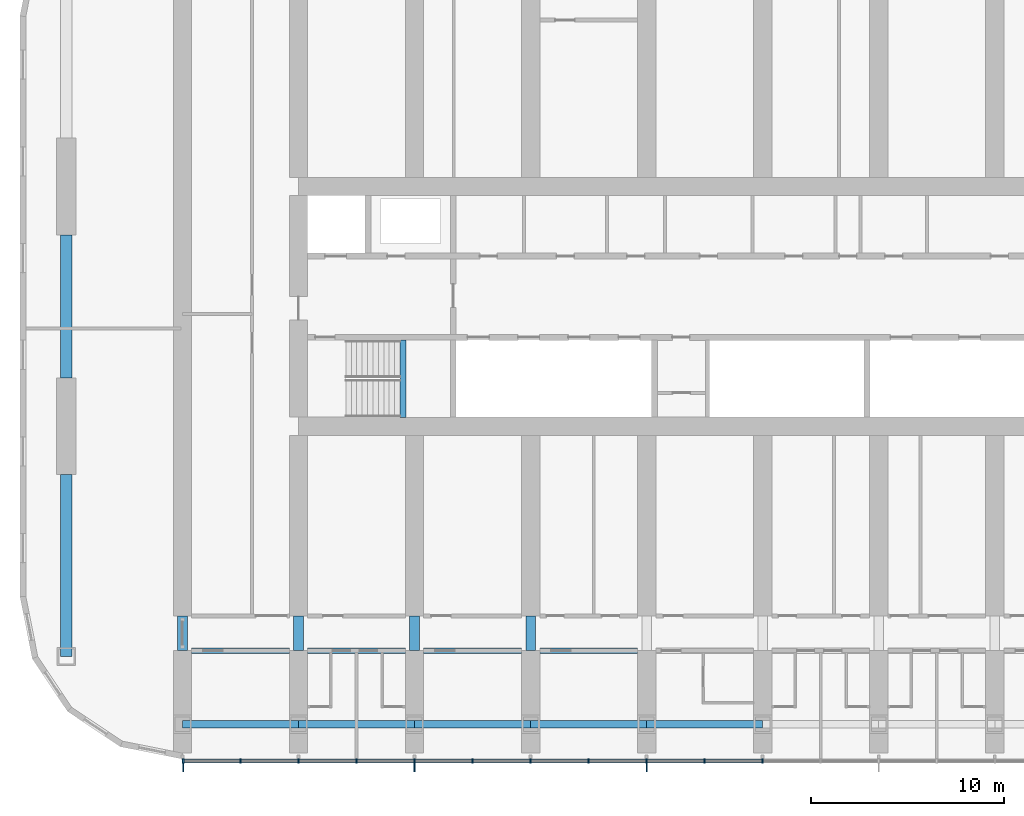
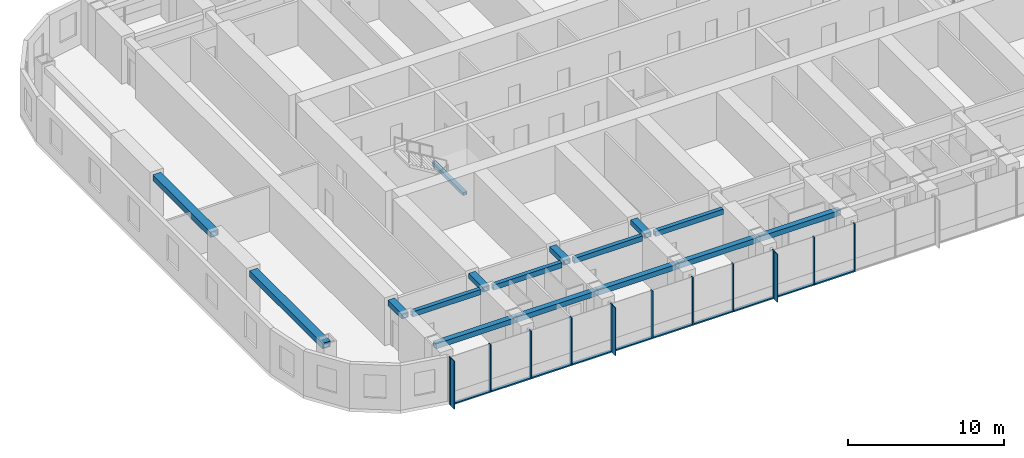
# One storey, part 2 of 21: 24 members, 16 beams, 1 element without a shape of its own.
"""IFC4 building model written with IfcOpenShell, lengths in metres."""

from ifc_helpers import new_model, si_unit, direction, frame, origin, origin_2d, place, context, subcontext, project, spatial, rectangle, hollow_rectangle, extrude, material, material_profile, profile_set, type_object, element, aggregate, save


model = new_model("IFC4")

# Units and contexts
model_context = context("Model", 3, precision=1e-05, world=origin(), true_north=direction((0.0, 1.0)))
body_context = subcontext(model_context, "Body", "Model", "MODEL_VIEW")
ifc_project = project(units=[si_unit("LENGTHUNIT", "METRE"), si_unit("AREAUNIT", "SQUARE_METRE"), si_unit("VOLUMEUNIT", "CUBIC_METRE"), si_unit("PLANEANGLEUNIT", "RADIAN"), si_unit("MASSUNIT", "GRAM", prefix="KILO")], contexts=[model_context])

# Site, building, storey
site_placement = place(None, origin())
site = spatial("IfcSite", under=ifc_project, at=site_placement, CompositionType="ELEMENT")
building_placement = place(site_placement, origin())
building = spatial("IfcBuilding", under=site, at=building_placement, Name="Orbita Commons", CompositionType="ELEMENT")
storey_placement = place(building_placement, frame((0.0, 0.0, 106.89990234375)))
storey = spatial("IfcBuildingStorey", under=building, at=storey_placement, Name="L26", CompositionType="ELEMENT", Elevation=106.89990234375)

# Curtain wall, members
ifc_material_1 = material(Name="Anodised aluminium frame, pale silver", Category="aluminium")
curtain_wall_type = type_object("IfcCurtainWallType", Name="Unitised curtain wall CW-T, vision and spandrel", PredefinedType="NOTDEFINED", material=ifc_material_1)
curtain_wall_placement = place(storey_placement, origin())
curtain_wall = element("IfcCurtainWall", 1, at=curtain_wall_placement, inside=storey, type_object=curtain_wall_type, Name="Curtain wall south L26", PredefinedType="NOTDEFINED")
ifc_material_2 = material(Name="Anodised aluminium, pale silver", Category="aluminium")
ifc_material_profile_1 = material_profile(ifc_material_2, rectangle(XDim=0.080078125, YDim=0.219970703125, at=origin_2d()), Name="AL 80x220")
ifc_profile_set_1 = profile_set([ifc_material_profile_1], Name="Anodised aluminium, pale silver")
member_type_1 = type_object("IfcMemberType", Name="Curtain wall mullion 80x220", PredefinedType="MULLION", material=ifc_profile_set_1)
member_1_placement = place(storey_placement, frame((12.0400390625, 8.489990234375, -0.25), z_axis=(0.0, 0.0, 1.0), x_axis=(1.0, 0.0, 0.0)))
member_1 = element("IfcMember", 2, at=member_1_placement, type_object=member_type_1, Name="Mullion 1 CW-L26-S", PredefinedType="MULLION", context=body_context, shape_type="SweptSolid", body=[
    extrude(rectangle(XDim=0.080078125, YDim=0.219970703125, at=origin_2d()), origin(), (0.0, 0.0, 1.0), 3.75),
])
member_2_placement = place(storey_placement, frame((15.0, 8.489990234375, -0.25), z_axis=(0.0, 0.0, 1.0), x_axis=(1.0, 0.0, 0.0)))
member_2 = element("IfcMember", 3, at=member_2_placement, type_object=member_type_1, Name="Mullion 2 CW-L26-S", PredefinedType="MULLION", context=body_context, shape_type="SweptSolid", body=[
    extrude(rectangle(XDim=0.080078125, YDim=0.219970703125, at=origin_2d()), origin(), (0.0, 0.0, 1.0), 3.75),
])
member_3_placement = place(storey_placement, frame((18.0, 8.489990234375, -0.25), z_axis=(0.0, 0.0, 1.0), x_axis=(1.0, 0.0, 0.0)))
member_3 = element("IfcMember", 4, at=member_3_placement, type_object=member_type_1, Name="Mullion 3 CW-L26-S", PredefinedType="MULLION", context=body_context, shape_type="SweptSolid", body=[
    extrude(rectangle(XDim=0.080078125, YDim=0.219970703125, at=origin_2d()), origin(), (0.0, 0.0, 1.0), 3.75),
])
member_4_placement = place(storey_placement, frame((21.0, 8.489990234375, -0.25), z_axis=(0.0, 0.0, 1.0), x_axis=(1.0, 0.0, 0.0)))
member_4 = element("IfcMember", 5, at=member_4_placement, type_object=member_type_1, Name="Mullion 4 CW-L26-S", PredefinedType="MULLION", context=body_context, shape_type="SweptSolid", body=[
    extrude(rectangle(XDim=0.080078125, YDim=0.219970703125, at=origin_2d()), origin(), (0.0, 0.0, 1.0), 3.75),
])
member_5_placement = place(storey_placement, frame((24.0, 8.489990234375, -0.25), z_axis=(0.0, 0.0, 1.0), x_axis=(1.0, 0.0, 0.0)))
member_5 = element("IfcMember", 6, at=member_5_placement, type_object=member_type_1, Name="Mullion 5 CW-L26-S", PredefinedType="MULLION", context=body_context, shape_type="SweptSolid", body=[
    extrude(rectangle(XDim=0.080078125, YDim=0.219970703125, at=origin_2d()), origin(), (0.0, 0.0, 1.0), 3.75),
])
member_6_placement = place(storey_placement, frame((27.0, 8.489990234375, -0.25), z_axis=(0.0, 0.0, 1.0), x_axis=(1.0, 0.0, 0.0)))
member_6 = element("IfcMember", 7, at=member_6_placement, type_object=member_type_1, Name="Mullion 6 CW-L26-S", PredefinedType="MULLION", context=body_context, shape_type="SweptSolid", body=[
    extrude(rectangle(XDim=0.080078125, YDim=0.219970703125, at=origin_2d()), origin(), (0.0, 0.0, 1.0), 3.75),
])
member_7_placement = place(storey_placement, frame((30.0, 8.489990234375, -0.25), z_axis=(0.0, 0.0, 1.0), x_axis=(1.0, 0.0, 0.0)))
member_7 = element("IfcMember", 8, at=member_7_placement, type_object=member_type_1, Name="Mullion 7 CW-L26-S", PredefinedType="MULLION", context=body_context, shape_type="SweptSolid", body=[
    extrude(rectangle(XDim=0.080078125, YDim=0.219970703125, at=origin_2d()), origin(), (0.0, 0.0, 1.0), 3.75),
])
member_8_placement = place(storey_placement, frame((33.0, 8.489990234375, -0.25), z_axis=(0.0, 0.0, 1.0), x_axis=(1.0, 0.0, 0.0)))
member_8 = element("IfcMember", 9, at=member_8_placement, type_object=member_type_1, Name="Mullion 8 CW-L26-S", PredefinedType="MULLION", context=body_context, shape_type="SweptSolid", body=[
    extrude(rectangle(XDim=0.080078125, YDim=0.219970703125, at=origin_2d()), origin(), (0.0, 0.0, 1.0), 3.75),
])
member_9_placement = place(storey_placement, frame((36.0, 8.489990234375, -0.25), z_axis=(0.0, 0.0, 1.0), x_axis=(1.0, 0.0, 0.0)))
member_9 = element("IfcMember", 10, at=member_9_placement, type_object=member_type_1, Name="Mullion 9 CW-L26-S", PredefinedType="MULLION", context=body_context, shape_type="SweptSolid", body=[
    extrude(rectangle(XDim=0.080078125, YDim=0.219970703125, at=origin_2d()), origin(), (0.0, 0.0, 1.0), 3.75),
])
member_10_placement = place(storey_placement, frame((39.0, 8.489990234375, -0.25), z_axis=(0.0, 0.0, 1.0), x_axis=(1.0, 0.0, 0.0)))
member_10 = element("IfcMember", 11, at=member_10_placement, type_object=member_type_1, Name="Mullion 10 CW-L26-S", PredefinedType="MULLION", context=body_context, shape_type="SweptSolid", body=[
    extrude(rectangle(XDim=0.080078125, YDim=0.219970703125, at=origin_2d()), origin(), (0.0, 0.0, 1.0), 3.75),
])
member_11_placement = place(storey_placement, frame((42.0, 8.489990234375, -0.25), z_axis=(0.0, 0.0, 1.0), x_axis=(1.0, 0.0, 0.0)))
member_11 = element("IfcMember", 12, at=member_11_placement, type_object=member_type_1, Name="Mullion 11 CW-L26-S", PredefinedType="MULLION", context=body_context, shape_type="SweptSolid", body=[
    extrude(rectangle(XDim=0.080078125, YDim=0.219970703125, at=origin_2d()), origin(), (0.0, 0.0, 1.0), 3.75),
])
ifc_material_3 = material(Name="Anodised aluminium, pale silver", Category="aluminium")
ifc_material_profile_2 = material_profile(ifc_material_3, rectangle(XDim=0.219970703125, YDim=0.10009765625, at=origin_2d()), Name="AL 220x100")
ifc_profile_set_2 = profile_set([ifc_material_profile_2], Name="Anodised aluminium, pale silver")
member_type_2 = type_object("IfcMemberType", Name="Curtain wall stack transom 220x100", PredefinedType="USERDEFINED", material=ifc_profile_set_2)
member_12_placement = place(storey_placement, frame((12.080078125, 8.489990234375, -0.199951171875), z_axis=(1.0, 0.0, 0.0), x_axis=(0.0, 1.0, 0.0)))
member_12 = element("IfcMember", 13, at=member_12_placement, type_object=member_type_2, Name="Transom 1.1 CW-L26-S", ObjectType="TRANSOM", PredefinedType="USERDEFINED", context=body_context, shape_type="SweptSolid", body=[
    extrude(rectangle(XDim=0.219970703125, YDim=0.10009765625, at=origin_2d()), origin(), (0.0, 0.0, 1.0), 2.8798828125),
])
member_13_placement = place(storey_placement, frame((15.0400390625, 8.489990234375, -0.199951171875), z_axis=(1.0, 0.0, 0.0), x_axis=(0.0, 1.0, 0.0)))
member_13 = element("IfcMember", 14, at=member_13_placement, type_object=member_type_2, Name="Transom 2.1 CW-L26-S", ObjectType="TRANSOM", PredefinedType="USERDEFINED", context=body_context, shape_type="SweptSolid", body=[
    extrude(rectangle(XDim=0.219970703125, YDim=0.10009765625, at=origin_2d()), origin(), (0.0, 0.0, 1.0), 2.919921875),
])
member_14_placement = place(storey_placement, frame((18.0400390625, 8.489990234375, -0.199951171875), z_axis=(1.0, 0.0, 0.0), x_axis=(0.0, 1.0, 0.0)))
member_14 = element("IfcMember", 15, at=member_14_placement, type_object=member_type_2, Name="Transom 3.1 CW-L26-S", ObjectType="TRANSOM", PredefinedType="USERDEFINED", context=body_context, shape_type="SweptSolid", body=[
    extrude(rectangle(XDim=0.219970703125, YDim=0.10009765625, at=origin_2d()), origin(), (0.0, 0.0, 1.0), 2.919921875),
])
member_15_placement = place(storey_placement, frame((21.0400390625, 8.489990234375, -0.199951171875), z_axis=(1.0, 0.0, 0.0), x_axis=(0.0, 1.0, 0.0)))
member_15 = element("IfcMember", 16, at=member_15_placement, type_object=member_type_2, Name="Transom 4.1 CW-L26-S", ObjectType="TRANSOM", PredefinedType="USERDEFINED", context=body_context, shape_type="SweptSolid", body=[
    extrude(rectangle(XDim=0.219970703125, YDim=0.10009765625, at=origin_2d()), origin(), (0.0, 0.0, 1.0), 2.919921875),
])
member_16_placement = place(storey_placement, frame((24.0400390625, 8.489990234375, -0.199951171875), z_axis=(1.0, 0.0, 0.0), x_axis=(0.0, 1.0, 0.0)))
member_16 = element("IfcMember", 17, at=member_16_placement, type_object=member_type_2, Name="Transom 5.1 CW-L26-S", ObjectType="TRANSOM", PredefinedType="USERDEFINED", context=body_context, shape_type="SweptSolid", body=[
    extrude(rectangle(XDim=0.219970703125, YDim=0.10009765625, at=origin_2d()), origin(), (0.0, 0.0, 1.0), 2.919921875),
])
member_17_placement = place(storey_placement, frame((27.0400390625, 8.489990234375, -0.199951171875), z_axis=(1.0, 0.0, 0.0), x_axis=(0.0, 1.0, 0.0)))
member_17 = element("IfcMember", 18, at=member_17_placement, type_object=member_type_2, Name="Transom 6.1 CW-L26-S", ObjectType="TRANSOM", PredefinedType="USERDEFINED", context=body_context, shape_type="SweptSolid", body=[
    extrude(rectangle(XDim=0.219970703125, YDim=0.10009765625, at=origin_2d()), origin(), (0.0, 0.0, 1.0), 2.919921875),
])
member_18_placement = place(storey_placement, frame((30.0400390625, 8.489990234375, -0.199951171875), z_axis=(1.0, 0.0, 0.0), x_axis=(0.0, 1.0, 0.0)))
member_18 = element("IfcMember", 19, at=member_18_placement, type_object=member_type_2, Name="Transom 7.1 CW-L26-S", ObjectType="TRANSOM", PredefinedType="USERDEFINED", context=body_context, shape_type="SweptSolid", body=[
    extrude(rectangle(XDim=0.219970703125, YDim=0.10009765625, at=origin_2d()), origin(), (0.0, 0.0, 1.0), 2.919921875),
])
member_19_placement = place(storey_placement, frame((33.0400390625, 8.489990234375, -0.199951171875), z_axis=(1.0, 0.0, 0.0), x_axis=(0.0, 1.0, 0.0)))
member_19 = element("IfcMember", 20, at=member_19_placement, type_object=member_type_2, Name="Transom 8.1 CW-L26-S", ObjectType="TRANSOM", PredefinedType="USERDEFINED", context=body_context, shape_type="SweptSolid", body=[
    extrude(rectangle(XDim=0.219970703125, YDim=0.10009765625, at=origin_2d()), origin(), (0.0, 0.0, 1.0), 2.919921875),
])
member_20_placement = place(storey_placement, frame((36.0400390625, 8.489990234375, -0.199951171875), z_axis=(1.0, 0.0, 0.0), x_axis=(0.0, 1.0, 0.0)))
member_20 = element("IfcMember", 21, at=member_20_placement, type_object=member_type_2, Name="Transom 9.1 CW-L26-S", ObjectType="TRANSOM", PredefinedType="USERDEFINED", context=body_context, shape_type="SweptSolid", body=[
    extrude(rectangle(XDim=0.219970703125, YDim=0.10009765625, at=origin_2d()), origin(), (0.0, 0.0, 1.0), 2.919921875),
])
member_21_placement = place(storey_placement, frame((39.0400390625, 8.489990234375, -0.199951171875), z_axis=(1.0, 0.0, 0.0), x_axis=(0.0, 1.0, 0.0)))
member_21 = element("IfcMember", 22, at=member_21_placement, type_object=member_type_2, Name="Transom 10.1 CW-L26-S", ObjectType="TRANSOM", PredefinedType="USERDEFINED", context=body_context, shape_type="SweptSolid", body=[
    extrude(rectangle(XDim=0.219970703125, YDim=0.10009765625, at=origin_2d()), origin(), (0.0, 0.0, 1.0), 2.919921875),
])

# Beams
ifc_material_4 = material(Name="Steel ASTM A572 Gr 50 welded plate", Category="steel")
ifc_material_profile_3 = material_profile(ifc_material_4, hollow_rectangle(XDim=0.300048828125, YDim=0.25, WallThickness=0.02490234375, at=origin_2d()), Name="BOX 250x300x25")
ifc_profile_set_3 = profile_set([ifc_material_profile_3], Name="Steel ASTM A572 Gr 50 welded plate")
beam_type_1 = type_object("IfcBeamType", Name="Stair landing beam steel BOX 250x300x25", PredefinedType="BEAM", material=ifc_profile_set_3)
beam_1_placement = place(storey_placement, frame((23.39990234375, 26.260009765625, 1.550048828125), z_axis=(0.0, 1.0, 0.0), x_axis=(-1.0, 0.0, 0.0)))
element("IfcBeam", 23, at=beam_1_placement, inside=storey, type_object=beam_type_1, Name="Stair S1 landing beam L26 1", PredefinedType="BEAM", context=body_context, shape_type="SweptSolid", body=[
    extrude(hollow_rectangle(XDim=0.300048828125, YDim=0.25, WallThickness=0.02490234375, at=origin_2d()), origin(), (0.0, 0.0, 1.0), 4.0048828125),
])
ifc_material_5 = material(Name="Steel ASTM A572 Gr 50 welded plate", Category="steel")
ifc_material_profile_4 = material_profile(ifc_material_5, hollow_rectangle(XDim=0.300048828125, YDim=0.39990234375, WallThickness=0.0400390625, at=origin_2d()), Name="BOX 400x300x40")
ifc_profile_set_4 = profile_set([ifc_material_profile_4], Name="Steel ASTM A572 Gr 50 welded plate")
beam_type_2 = type_object("IfcBeamType", Name="Steel corridor link BOX 400x300x40", PredefinedType="BEAM", material=ifc_profile_set_4)
for number, where, z_axis, x_axis, name in (
    (24, (12.47509765625, 14.199951171875, 3.300048828125), (1.0, 0.0, 0.0), (0.0, 1.0, 0.0), "Corridor beam SA 3-4 L26"),
    (25, (18.47509765625, 14.199951171875, 3.300048828125), (1.0, 0.0, 0.0), (0.0, 1.0, 0.0), "Corridor beam SA 4-5 L26"),
    (26, (24.47509765625, 14.199951171875, 3.300048828125), (1.0, 0.0, 0.0), (0.0, 1.0, 0.0), "Corridor beam SA 5-6 L26"),
    (27, (30.47509765625, 14.199951171875, 3.300048828125), (1.0, 0.0, 0.0), (0.0, 1.0, 0.0), "Corridor beam SA 6-7 L26"),
):
    element("IfcBeam", number, at=place(storey_placement, frame(where, z_axis=z_axis, x_axis=x_axis)), inside=storey, type_object=beam_type_2, Name=name, PredefinedType="BEAM", context=body_context, shape_type="SweptSolid", body=[
        extrude(hollow_rectangle(XDim=0.300048828125, YDim=0.39990234375, WallThickness=0.0400390625, at=origin_2d()), origin(), (0.0, 0.0, 1.0), 5.0498046875),
    ])
ifc_material_6 = material(Name="Steel ASTM A572 Gr 50 welded plate", Category="steel")
ifc_material_profile_5 = material_profile(ifc_material_6, hollow_rectangle(XDim=0.5, YDim=0.39990234375, WallThickness=0.050048828125, at=origin_2d()), Name="BOX 400x500x50")
ifc_profile_set_5 = profile_set([ifc_material_profile_5], Name="Steel ASTM A572 Gr 50 welded plate")
beam_type_3 = type_object("IfcBeamType", Name="Steel coupling link BOX 400x500x50", PredefinedType="LINTEL", material=ifc_profile_set_5)
for number, where, z_axis, x_axis, name in (
    (28, (12.0, 14.199951171875, 3.300048828125), (0.0, 1.0, 0.0), (-1.0, 0.0, 0.0), "Coupling beam 3 south L26"),
    (29, (18.0, 14.199951171875, 3.300048828125), (0.0, 1.0, 0.0), (-1.0, 0.0, 0.0), "Coupling beam 4 south L26"),
    (30, (24.0, 14.199951171875, 3.300048828125), (0.0, 1.0, 0.0), (-1.0, 0.0, 0.0), "Coupling beam 5 south L26"),
    (31, (30.0, 14.199951171875, 3.300048828125), (0.0, 1.0, 0.0), (-1.0, 0.0, 0.0), "Coupling beam 6 south L26"),
):
    element("IfcBeam", number, at=place(storey_placement, frame(where, z_axis=z_axis, x_axis=x_axis)), inside=storey, type_object=beam_type_3, Name=name, PredefinedType="LINTEL", context=body_context, shape_type="SweptSolid", body=[
        extrude(hollow_rectangle(XDim=0.5, YDim=0.39990234375, WallThickness=0.050048828125, at=origin_2d()), origin(), (0.0, 0.0, 1.0), 1.800048828125),
    ])
ifc_material_7 = material(Name="Steel ASTM A572 Gr 50 welded plate", Category="steel")
ifc_material_profile_6 = material_profile(ifc_material_7, hollow_rectangle(XDim=0.60009765625, YDim=0.449951171875, WallThickness=0.06005859375, at=origin_2d()), Name="BOX 450x600x60")
ifc_profile_set_6 = profile_set([ifc_material_profile_6], Name="Steel ASTM A572 Gr 50 welded plate")
beam_type_4 = type_object("IfcBeamType", Name="Steel end frame link BOX 450x600x60", PredefinedType="BEAM", material=ifc_profile_set_6)
beam_2_placement = place(storey_placement, frame((6.0, 13.89990234375, 3.275146484375), z_axis=(0.0, 1.0, 0.0), x_axis=(-1.0, 0.0, 0.0)))
element("IfcBeam", 32, at=beam_2_placement, inside=storey, type_object=beam_type_4, Name="End frame beam 2 B-C L26", PredefinedType="BEAM", context=body_context, shape_type="SweptSolid", body=[
    extrude(hollow_rectangle(XDim=0.60009765625, YDim=0.449951171875, WallThickness=0.06005859375, at=origin_2d()), origin(), (0.0, 0.0, 1.0), 9.400146484375),
])
beam_3_placement = place(storey_placement, frame((6.0, 28.300048828125, 3.275146484375), z_axis=(0.0, 1.0, 0.0), x_axis=(-1.0, 0.0, 0.0)))
element("IfcBeam", 33, at=beam_3_placement, inside=storey, type_object=beam_type_4, Name="End frame beam 2 C-D L26", PredefinedType="BEAM", context=body_context, shape_type="SweptSolid", body=[
    extrude(hollow_rectangle(XDim=0.60009765625, YDim=0.449951171875, WallThickness=0.06005859375, at=origin_2d()), origin(), (0.0, 0.0, 1.0), 7.39990234375),
])
ifc_material_8 = material(Name="Steel ASTM A572 Gr 50 welded plate", Category="steel")
ifc_material_profile_7 = material_profile(ifc_material_8, hollow_rectangle(XDim=0.39990234375, YDim=0.39990234375, WallThickness=0.0400390625, at=origin_2d()), Name="BOX 400x400x40")
ifc_profile_set_7 = profile_set([ifc_material_profile_7], Name="Steel ASTM A572 Gr 50 welded plate")
beam_type_5 = type_object("IfcBeamType", Name="Steel spandrel BOX 400x400x40", PredefinedType="SPANDREL", material=ifc_profile_set_7)
for number, where, z_axis, x_axis, name in (
    (34, (12.0, 10.39990234375, 3.300048828125), (1.0, 0.0, 0.0), (0.0, 1.0, 0.0), "Spandrel beam B 3-4 L26"),
    (35, (18.0, 10.39990234375, 3.300048828125), (1.0, 0.0, 0.0), (0.0, 1.0, 0.0), "Spandrel beam B 4-5 L26"),
    (36, (24.0, 10.39990234375, 3.300048828125), (1.0, 0.0, 0.0), (0.0, 1.0, 0.0), "Spandrel beam B 5-6 L26"),
    (37, (30.0, 10.39990234375, 3.300048828125), (1.0, 0.0, 0.0), (0.0, 1.0, 0.0), "Spandrel beam B 6-7 L26"),
    (38, (36.0, 10.39990234375, 3.300048828125), (1.0, 0.0, 0.0), (0.0, 1.0, 0.0), "Spandrel beam B 7-8 L26"),
):
    element("IfcBeam", number, at=place(storey_placement, frame(where, z_axis=z_axis, x_axis=x_axis)), inside=storey, type_object=beam_type_5, Name=name, PredefinedType="SPANDREL", context=body_context, shape_type="SweptSolid", body=[
        extrude(hollow_rectangle(XDim=0.39990234375, YDim=0.39990234375, WallThickness=0.0400390625, at=origin_2d()), origin(), (0.0, 0.0, 1.0), 6.0),
    ])

# Member
ifc_material_9 = material(Name="Anodised aluminium, pale silver", Category="aluminium")
ifc_material_profile_8 = material_profile(ifc_material_9, rectangle(XDim=0.06005859375, YDim=0.449951171875, at=origin_2d()), Name="FIN 60x450")
ifc_profile_set_8 = profile_set([ifc_material_profile_8], Name="Anodised aluminium, pale silver")
member_type_3 = type_object("IfcMemberType", Name="Vertical fin 60x450 pale aluminium", PredefinedType="USERDEFINED", material=ifc_profile_set_8)
member_22_placement = place(storey_placement, frame((12.0400390625, 8.155029296875, -0.25), z_axis=(0.0, 0.0, 1.0), x_axis=(1.0, 0.0, 0.0)))
member_22 = element("IfcMember", 39, at=member_22_placement, type_object=member_type_3, Name="Fin 1 CW-L26-S", ObjectType="FIN", PredefinedType="USERDEFINED", context=body_context, shape_type="SweptSolid", body=[
    extrude(rectangle(XDim=0.06005859375, YDim=0.449951171875, at=origin_2d()), origin(), (0.0, 0.0, 1.0), 3.75),
])

member_23_placement = place(storey_placement, frame((24.0, 8.155029296875, -0.25), z_axis=(0.0, 0.0, 1.0), x_axis=(1.0, 0.0, 0.0)))
member_23 = element("IfcMember", 40, at=member_23_placement, type_object=member_type_3, Name="Fin 5 CW-L26-S", ObjectType="FIN", PredefinedType="USERDEFINED", context=body_context, shape_type="SweptSolid", body=[
    extrude(rectangle(XDim=0.06005859375, YDim=0.449951171875, at=origin_2d()), origin(), (0.0, 0.0, 1.0), 3.75),
])

member_24_placement = place(storey_placement, frame((36.0, 8.155029296875, -0.25), z_axis=(0.0, 0.0, 1.0), x_axis=(1.0, 0.0, 0.0)))
member_24 = element("IfcMember", 41, at=member_24_placement, type_object=member_type_3, Name="Fin 9 CW-L26-S", ObjectType="FIN", PredefinedType="USERDEFINED", context=body_context, shape_type="SweptSolid", body=[
    extrude(rectangle(XDim=0.06005859375, YDim=0.449951171875, at=origin_2d()), origin(), (0.0, 0.0, 1.0), 3.75),
])

aggregate(curtain_wall, [member_1, member_22, member_2, member_3, member_4, member_5, member_23, member_6, member_7, member_8, member_9, member_24, member_10, member_11, member_12, member_13, member_14, member_15, member_16, member_17, member_18, member_19, member_20, member_21])

save(model, "model.ifc")
